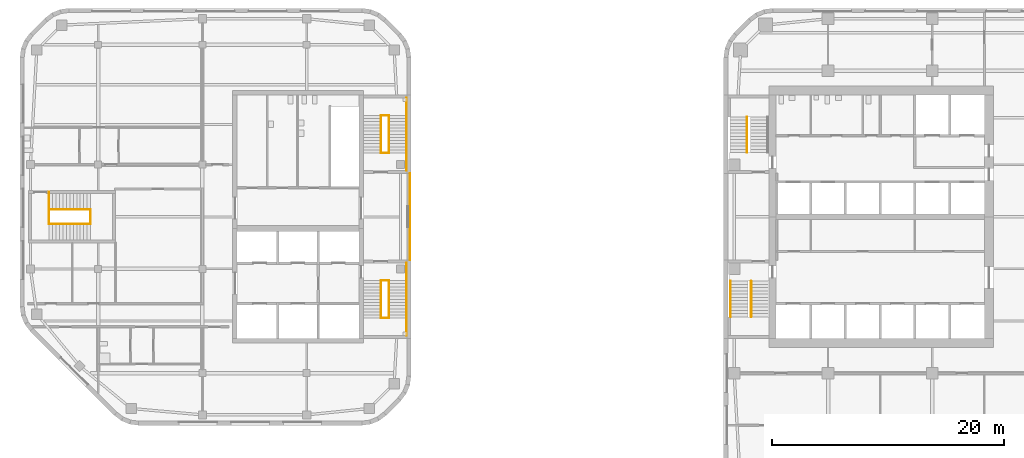
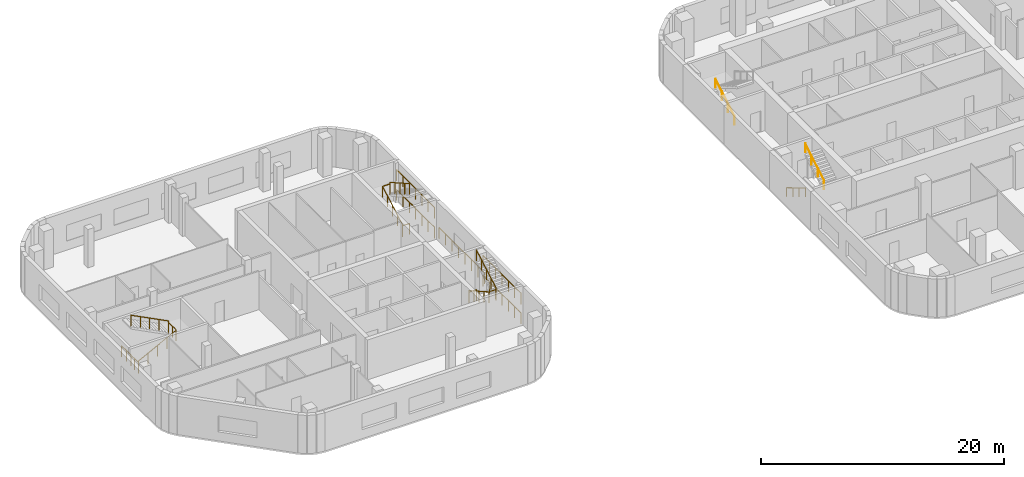
# One storey, part 12 of 14: 21 railings, 2 elements without a shape of their own.
"""IFC4 building model written with IfcOpenShell, lengths in metres."""

from ifc_helpers import new_model, si_unit, direction, frame, origin, origin_2d, place, context, subcontext, project, spatial, circle, extrude, material, type_object, element, aggregate, save


model = new_model("IFC4")

# Units and contexts
model_context = context("Model", 3, precision=1e-05, world=origin(), true_north=direction((0.0, 1.0)))
body_context = subcontext(model_context, "Body", "Model", "MODEL_VIEW")
ifc_project = project(units=[si_unit("LENGTHUNIT", "METRE"), si_unit("AREAUNIT", "SQUARE_METRE"), si_unit("VOLUMEUNIT", "CUBIC_METRE"), si_unit("PLANEANGLEUNIT", "RADIAN"), si_unit("MASSUNIT", "GRAM", prefix="KILO")], contexts=[model_context])

# Site, building, storey
site_placement = place(None, origin())
site = spatial("IfcSite", under=ifc_project, at=site_placement, CompositionType="ELEMENT")
building_placement = place(site_placement, origin())
building = spatial("IfcBuilding", under=site, at=building_placement, Name="Cinnabar Reach Civic Tower", CompositionType="ELEMENT")
storey_placement = place(building_placement, frame((0.0, 0.0, 128.0)))
storey = spatial("IfcBuildingStorey", under=building, at=storey_placement, Name="L30", CompositionType="ELEMENT", Elevation=128.0)

# Stair, railings
ifc_material_1 = material(Name="Concrete C40/50", Category="concrete")
stair_type = type_object("IfcStairType", Name="T1 Exit stair, half-turn", PredefinedType="HALF_TURN_STAIR", material=ifc_material_1)
stair_1_placement = place(storey_placement, origin())
stair_1 = element("IfcStair", 1, at=stair_1_placement, inside=storey, type_object=stair_type, Name="Stair T1-S1", PredefinedType="HALF_TURN_STAIR")
ifc_material_2 = material(Name="Stainless steel tube", Category="steel")
railing_type_1 = type_object("IfcRailingType", Name="T1 Stair handrail, stainless tube 48", PredefinedType="HANDRAIL", material=ifc_material_2)
railing_1_placement = place(storey_placement, frame((0.6, 25.95, 0.1667)))
railing_1 = element("IfcRailing", 2, at=railing_1_placement, type_object=railing_type_1, Name="T1-S1 handrail 1", PredefinedType="HANDRAIL", context=body_context, shape_type="SweptSolid", body=[
    extrude(circle(Radius=0.024, at=origin_2d()), frame((0.0, 0.0, 0.876), z_axis=(0.0, -0.859296971757, 0.511476992962), x_axis=(1.0, 0.0, 0.0)), (0.0, 0.0, 1.0), 3.5843),
    extrude(circle(Radius=0.021, at=origin_2d()), origin(), (0.0, 0.0, 1.0), 0.852),
    extrude(circle(Radius=0.021, at=origin_2d()), frame((0.0, -1.0267, 0.6111)), (0.0, 0.0, 1.0), 0.852),
    extrude(circle(Radius=0.021, at=origin_2d()), frame((0.0, -2.0533, 1.2222)), (0.0, 0.0, 1.0), 0.852),
    extrude(circle(Radius=0.021, at=origin_2d()), frame((0.0, -3.08, 1.8333)), (0.0, 0.0, 1.0), 0.852),
])
railing_2_placement = place(storey_placement, frame((2.375, 22.87, 2.1667)))
railing_2 = element("IfcRailing", 3, at=railing_2_placement, type_object=railing_type_1, Name="T1-S1 handrail 2", PredefinedType="HANDRAIL", context=body_context, shape_type="SweptSolid", body=[
    extrude(circle(Radius=0.024, at=origin_2d()), frame((0.0, 0.0, 0.876), z_axis=(0.0, 0.859296971757, 0.511476992962), x_axis=(-1.0, 0.0, 0.0)), (0.0, 0.0, 1.0), 3.5843),
    extrude(circle(Radius=0.021, at=origin_2d()), origin(), (0.0, 0.0, 1.0), 0.852),
    extrude(circle(Radius=0.021, at=origin_2d()), frame((0.0, 1.0267, 0.6111)), (0.0, 0.0, 1.0), 0.852),
    extrude(circle(Radius=0.021, at=origin_2d()), frame((0.0, 2.0533, 1.2222)), (0.0, 0.0, 1.0), 0.852),
    extrude(circle(Radius=0.021, at=origin_2d()), frame((0.0, 3.08, 1.8333)), (0.0, 0.0, 1.0), 0.852),
])
aggregate(stair_1, [railing_1, railing_2])

# Stair, railing
stair_2_placement = place(storey_placement, origin())
stair_2 = element("IfcStair", 4, at=stair_2_placement, inside=storey, type_object=stair_type, Name="Stair T1-S2", PredefinedType="HALF_TURN_STAIR")
railing_3_placement = place(storey_placement, frame((2.025, 37.05, 0.1667)))
railing_3 = element("IfcRailing", 5, at=railing_3_placement, type_object=railing_type_1, Name="T1-S2 handrail 1", PredefinedType="HANDRAIL", context=body_context, shape_type="SweptSolid", body=[
    extrude(circle(Radius=0.024, at=origin_2d()), frame((0.0, 0.0, 0.876), z_axis=(0.0, 0.859296971757, 0.511476992962), x_axis=(-1.0, 0.0, 0.0)), (0.0, 0.0, 1.0), 3.5843),
    extrude(circle(Radius=0.021, at=origin_2d()), origin(), (0.0, 0.0, 1.0), 0.852),
    extrude(circle(Radius=0.021, at=origin_2d()), frame((0.0, 1.0267, 0.6111)), (0.0, 0.0, 1.0), 0.852),
    extrude(circle(Radius=0.021, at=origin_2d()), frame((0.0, 2.0533, 1.2222)), (0.0, 0.0, 1.0), 0.852),
    extrude(circle(Radius=0.021, at=origin_2d()), frame((0.0, 3.08, 1.8333)), (0.0, 0.0, 1.0), 0.852),
])
aggregate(stair_2, [railing_3])

# Railings
ifc_material_3 = material(Name="Stainless steel", Category="steel")
railing_type_2 = type_object("IfcRailingType", Name="T2 Stair guard 1100", PredefinedType="GUARDRAIL", material=ifc_material_3)
railing_4_placement = place(storey_placement, frame((-27.1, 27.75, 0.0)))
element("IfcRailing", 6, at=railing_4_placement, inside=storey, type_object=railing_type_2, Name="Corridor end guard", PredefinedType="GUARDRAIL", context=body_context, shape_type="SweptSolid", body=[
    extrude(circle(Radius=0.024, at=origin_2d()), frame((0.0, 0.0, 1.076), z_axis=(0.0, 1.0, 0.0), x_axis=(-1.0, 0.0, 0.0)), (0.0, 0.0, 1.0), 7.5),
    extrude(circle(Radius=0.021, at=origin_2d()), origin(), (0.0, 0.0, 1.0), 1.052),
    extrude(circle(Radius=0.021, at=origin_2d()), frame((0.0, 1.0714, 0.0)), (0.0, 0.0, 1.0), 1.052),
    extrude(circle(Radius=0.021, at=origin_2d()), frame((0.0, 2.1429, 0.0)), (0.0, 0.0, 1.0), 1.052),
    extrude(circle(Radius=0.021, at=origin_2d()), frame((0.0, 3.2143, 0.0)), (0.0, 0.0, 1.0), 1.052),
    extrude(circle(Radius=0.021, at=origin_2d()), frame((0.0, 4.2857, 0.0)), (0.0, 0.0, 1.0), 1.052),
    extrude(circle(Radius=0.021, at=origin_2d()), frame((0.0, 5.3571, 0.0)), (0.0, 0.0, 1.0), 1.052),
    extrude(circle(Radius=0.021, at=origin_2d()), frame((0.0, 6.4286, 0.0)), (0.0, 0.0, 1.0), 1.052),
    extrude(circle(Radius=0.021, at=origin_2d()), frame((0.0, 7.5, 0.0)), (0.0, 0.0, 1.0), 1.052),
])
for number, where, name in (
    (7, (-27.4, 21.25, 0.0), "Stair guard 1"),
    (8, (-27.4, 21.25, 2.0), "Stair guard 1"),
):
    element("IfcRailing", number, at=place(storey_placement, frame(where)), inside=storey, type_object=railing_type_2, Name=name, PredefinedType="GUARDRAIL", context=body_context, shape_type="SweptSolid", body=[
        extrude(circle(Radius=0.024, at=origin_2d()), frame((0.0, 0.0, 1.076), z_axis=(0.0, 1.0, 0.0), x_axis=(-1.0, 0.0, 0.0)), (0.0, 0.0, 1.0), 6.25),
        extrude(circle(Radius=0.021, at=origin_2d()), origin(), (0.0, 0.0, 1.0), 1.052),
        extrude(circle(Radius=0.021, at=origin_2d()), frame((0.0, 1.0417, 0.0)), (0.0, 0.0, 1.0), 1.052),
        extrude(circle(Radius=0.021, at=origin_2d()), frame((0.0, 2.0833, 0.0)), (0.0, 0.0, 1.0), 1.052),
        extrude(circle(Radius=0.021, at=origin_2d()), frame((0.0, 3.125, 0.0)), (0.0, 0.0, 1.0), 1.052),
        extrude(circle(Radius=0.021, at=origin_2d()), frame((0.0, 4.1667, 0.0)), (0.0, 0.0, 1.0), 1.052),
        extrude(circle(Radius=0.021, at=origin_2d()), frame((0.0, 5.2083, 0.0)), (0.0, 0.0, 1.0), 1.052),
        extrude(circle(Radius=0.021, at=origin_2d()), frame((0.0, 6.25, 0.0)), (0.0, 0.0, 1.0), 1.052),
    ])
for number, where, name in (
    (9, (-29.6, 26.0, 0.0), "Stair guard 1"),
    (10, (-29.6, 22.75, 2.0), "Stair guard 1"),
):
    element("IfcRailing", number, at=place(storey_placement, frame(where)), inside=storey, type_object=railing_type_2, Name=name, PredefinedType="GUARDRAIL", context=body_context, shape_type="SweptSolid", body=[
        extrude(circle(Radius=0.024, at=origin_2d()), frame((0.0, 0.0, 1.076), z_axis=(1.0, 0.0, 0.0), x_axis=(0.0, 1.0, 0.0)), (0.0, 0.0, 1.0), 0.7),
        extrude(circle(Radius=0.021, at=origin_2d()), origin(), (0.0, 0.0, 1.0), 1.052),
        extrude(circle(Radius=0.021, at=origin_2d()), frame((0.7, 0.0, 0.0)), (0.0, 0.0, 1.0), 1.052),
    ])
railing_5_placement = place(storey_placement, frame((-29.6, 26.0, 0.1538)))
element("IfcRailing", 11, at=railing_5_placement, inside=storey, type_object=railing_type_2, Name="Stair guard 1", PredefinedType="GUARDRAIL", context=body_context, shape_type="SweptSolid", body=[
    extrude(circle(Radius=0.024, at=origin_2d()), frame((0.0, 0.0, 1.076), z_axis=(0.0, -0.869501474428, 0.493930345258), x_axis=(1.0, 0.0, 0.0)), (0.0, 0.0, 1.0), 3.7378),
    extrude(circle(Radius=0.021, at=origin_2d()), origin(), (0.0, 0.0, 1.0), 1.052),
    extrude(circle(Radius=0.021, at=origin_2d()), frame((0.0, -0.8125, 0.4616)), (0.0, 0.0, 1.0), 1.052),
    extrude(circle(Radius=0.021, at=origin_2d()), frame((0.0, -1.625, 0.9231)), (0.0, 0.0, 1.0), 1.052),
    extrude(circle(Radius=0.021, at=origin_2d()), frame((0.0, -2.4375, 1.3847)), (0.0, 0.0, 1.0), 1.052),
    extrude(circle(Radius=0.021, at=origin_2d()), frame((0.0, -3.25, 1.8462)), (0.0, 0.0, 1.0), 1.052),
])
railing_6_placement = place(storey_placement, frame((-28.9, 22.75, 2.1538)))
element("IfcRailing", 12, at=railing_6_placement, inside=storey, type_object=railing_type_2, Name="Stair guard 1", PredefinedType="GUARDRAIL", context=body_context, shape_type="SweptSolid", body=[
    extrude(circle(Radius=0.024, at=origin_2d()), frame((0.0, 0.0, 1.076), z_axis=(0.0, 0.869501474428, 0.493930345258), x_axis=(-1.0, 0.0, 0.0)), (0.0, 0.0, 1.0), 3.7378),
    extrude(circle(Radius=0.021, at=origin_2d()), origin(), (0.0, 0.0, 1.0), 1.052),
    extrude(circle(Radius=0.021, at=origin_2d()), frame((0.0, 0.8125, 0.4616)), (0.0, 0.0, 1.0), 1.052),
    extrude(circle(Radius=0.021, at=origin_2d()), frame((0.0, 1.625, 0.9231)), (0.0, 0.0, 1.0), 1.052),
    extrude(circle(Radius=0.021, at=origin_2d()), frame((0.0, 2.4375, 1.3847)), (0.0, 0.0, 1.0), 1.052),
    extrude(circle(Radius=0.021, at=origin_2d()), frame((0.0, 3.25, 1.8462)), (0.0, 0.0, 1.0), 1.052),
])
for number, where, name in (
    (13, (-27.4, 35.5, 0.0), "Stair guard 2"),
    (14, (-27.4, 35.5, 2.0), "Stair guard 2"),
):
    element("IfcRailing", number, at=place(storey_placement, frame(where)), inside=storey, type_object=railing_type_2, Name=name, PredefinedType="GUARDRAIL", context=body_context, shape_type="SweptSolid", body=[
        extrude(circle(Radius=0.024, at=origin_2d()), frame((0.0, 0.0, 1.076), z_axis=(0.0, 1.0, 0.0), x_axis=(-1.0, 0.0, 0.0)), (0.0, 0.0, 1.0), 6.25),
        extrude(circle(Radius=0.021, at=origin_2d()), origin(), (0.0, 0.0, 1.0), 1.052),
        extrude(circle(Radius=0.021, at=origin_2d()), frame((0.0, 1.0417, 0.0)), (0.0, 0.0, 1.0), 1.052),
        extrude(circle(Radius=0.021, at=origin_2d()), frame((0.0, 2.0833, 0.0)), (0.0, 0.0, 1.0), 1.052),
        extrude(circle(Radius=0.021, at=origin_2d()), frame((0.0, 3.125, 0.0)), (0.0, 0.0, 1.0), 1.052),
        extrude(circle(Radius=0.021, at=origin_2d()), frame((0.0, 4.1667, 0.0)), (0.0, 0.0, 1.0), 1.052),
        extrude(circle(Radius=0.021, at=origin_2d()), frame((0.0, 5.2083, 0.0)), (0.0, 0.0, 1.0), 1.052),
        extrude(circle(Radius=0.021, at=origin_2d()), frame((0.0, 6.25, 0.0)), (0.0, 0.0, 1.0), 1.052),
    ])
for number, where, name in (
    (15, (-29.6, 37.0, 0.0), "Stair guard 2"),
    (16, (-29.6, 40.25, 2.0), "Stair guard 2"),
):
    element("IfcRailing", number, at=place(storey_placement, frame(where)), inside=storey, type_object=railing_type_2, Name=name, PredefinedType="GUARDRAIL", context=body_context, shape_type="SweptSolid", body=[
        extrude(circle(Radius=0.024, at=origin_2d()), frame((0.0, 0.0, 1.076), z_axis=(1.0, 0.0, 0.0), x_axis=(0.0, 1.0, 0.0)), (0.0, 0.0, 1.0), 0.7),
        extrude(circle(Radius=0.021, at=origin_2d()), origin(), (0.0, 0.0, 1.0), 1.052),
        extrude(circle(Radius=0.021, at=origin_2d()), frame((0.7, 0.0, 0.0)), (0.0, 0.0, 1.0), 1.052),
    ])
railing_7_placement = place(storey_placement, frame((-29.6, 37.0, 0.1538)))
element("IfcRailing", 17, at=railing_7_placement, inside=storey, type_object=railing_type_2, Name="Stair guard 2", PredefinedType="GUARDRAIL", context=body_context, shape_type="SweptSolid", body=[
    extrude(circle(Radius=0.024, at=origin_2d()), frame((0.0, 0.0, 1.076), z_axis=(0.0, 0.869501474428, 0.493930345258), x_axis=(-1.0, 0.0, 0.0)), (0.0, 0.0, 1.0), 3.7378),
    extrude(circle(Radius=0.021, at=origin_2d()), origin(), (0.0, 0.0, 1.0), 1.052),
    extrude(circle(Radius=0.021, at=origin_2d()), frame((0.0, 0.8125, 0.4616)), (0.0, 0.0, 1.0), 1.052),
    extrude(circle(Radius=0.021, at=origin_2d()), frame((0.0, 1.625, 0.9231)), (0.0, 0.0, 1.0), 1.052),
    extrude(circle(Radius=0.021, at=origin_2d()), frame((0.0, 2.4375, 1.3847)), (0.0, 0.0, 1.0), 1.052),
    extrude(circle(Radius=0.021, at=origin_2d()), frame((0.0, 3.25, 1.8462)), (0.0, 0.0, 1.0), 1.052),
])
railing_8_placement = place(storey_placement, frame((-28.9, 40.25, 2.1538)))
element("IfcRailing", 18, at=railing_8_placement, inside=storey, type_object=railing_type_2, Name="Stair guard 2", PredefinedType="GUARDRAIL", context=body_context, shape_type="SweptSolid", body=[
    extrude(circle(Radius=0.024, at=origin_2d()), frame((0.0, 0.0, 1.076), z_axis=(0.0, -0.869501474428, 0.493930345258), x_axis=(1.0, 0.0, 0.0)), (0.0, 0.0, 1.0), 3.7378),
    extrude(circle(Radius=0.021, at=origin_2d()), origin(), (0.0, 0.0, 1.0), 1.052),
    extrude(circle(Radius=0.021, at=origin_2d()), frame((0.0, -0.8125, 0.4616)), (0.0, 0.0, 1.0), 1.052),
    extrude(circle(Radius=0.021, at=origin_2d()), frame((0.0, -1.625, 0.9231)), (0.0, 0.0, 1.0), 1.052),
    extrude(circle(Radius=0.021, at=origin_2d()), frame((0.0, -2.4375, 1.3847)), (0.0, 0.0, 1.0), 1.052),
    extrude(circle(Radius=0.021, at=origin_2d()), frame((0.0, -3.25, 1.8462)), (0.0, 0.0, 1.0), 1.052),
])
railing_9_placement = place(storey_placement, frame((-58.25, 30.875, 0.0)))
element("IfcRailing", 19, at=railing_9_placement, inside=storey, type_object=railing_type_2, Name="Stair guard 3", PredefinedType="GUARDRAIL", context=body_context, shape_type="SweptSolid", body=[
    extrude(circle(Radius=0.024, at=origin_2d()), frame((0.0, 0.0, 1.076), z_axis=(0.0, 1.0, 0.0), x_axis=(-1.0, 0.0, 0.0)), (0.0, 0.0, 1.0), 1.25),
    extrude(circle(Radius=0.021, at=origin_2d()), origin(), (0.0, 0.0, 1.0), 1.052),
    extrude(circle(Radius=0.021, at=origin_2d()), frame((0.0, 0.625, 0.0)), (0.0, 0.0, 1.0), 1.052),
    extrude(circle(Radius=0.021, at=origin_2d()), frame((0.0, 1.25, 0.0)), (0.0, 0.0, 1.0), 1.052),
])
railing_10_placement = place(storey_placement, frame((-58.25, 32.125, 0.0)))
element("IfcRailing", 20, at=railing_10_placement, inside=storey, type_object=railing_type_2, Name="Stair guard 3", PredefinedType="GUARDRAIL", context=body_context, shape_type="SweptSolid", body=[
    extrude(circle(Radius=0.024, at=origin_2d()), frame((0.0, 0.0, 1.076), z_axis=(0.0, 1.0, 0.0), x_axis=(-1.0, 0.0, 0.0)), (0.0, 0.0, 1.0), 1.5),
    extrude(circle(Radius=0.021, at=origin_2d()), origin(), (0.0, 0.0, 1.0), 1.052),
    extrude(circle(Radius=0.021, at=origin_2d()), frame((0.0, 0.75, 0.0)), (0.0, 0.0, 1.0), 1.052),
    extrude(circle(Radius=0.021, at=origin_2d()), frame((0.0, 1.5, 0.0)), (0.0, 0.0, 1.0), 1.052),
])
railing_11_placement = place(storey_placement, frame((-54.65, 30.875, 2.0)))
element("IfcRailing", 21, at=railing_11_placement, inside=storey, type_object=railing_type_2, Name="Stair guard 3", PredefinedType="GUARDRAIL", context=body_context, shape_type="SweptSolid", body=[
    extrude(circle(Radius=0.024, at=origin_2d()), frame((0.0, 0.0, 1.076), z_axis=(0.0, 1.0, 0.0), x_axis=(-1.0, 0.0, 0.0)), (0.0, 0.0, 1.0), 1.25),
    extrude(circle(Radius=0.021, at=origin_2d()), origin(), (0.0, 0.0, 1.0), 1.052),
    extrude(circle(Radius=0.021, at=origin_2d()), frame((0.0, 0.625, 0.0)), (0.0, 0.0, 1.0), 1.052),
    extrude(circle(Radius=0.021, at=origin_2d()), frame((0.0, 1.25, 0.0)), (0.0, 0.0, 1.0), 1.052),
])
railing_12_placement = place(storey_placement, frame((-58.25, 30.875, 0.1538)))
element("IfcRailing", 22, at=railing_12_placement, inside=storey, type_object=railing_type_2, Name="Stair guard 3", PredefinedType="GUARDRAIL", context=body_context, shape_type="SweptSolid", body=[
    extrude(circle(Radius=0.024, at=origin_2d()), frame((0.0, 0.0, 1.076), z_axis=(0.889812830738, 0.0, 0.45632568003), x_axis=(0.0, 1.0, 0.0)), (0.0, 0.0, 1.0), 4.0458),
    extrude(circle(Radius=0.021, at=origin_2d()), origin(), (0.0, 0.0, 1.0), 1.052),
    extrude(circle(Radius=0.021, at=origin_2d()), frame((0.9, 0.0, 0.4616)), (0.0, 0.0, 1.0), 1.052),
    extrude(circle(Radius=0.021, at=origin_2d()), frame((1.8, 0.0, 0.9231)), (0.0, 0.0, 1.0), 1.052),
    extrude(circle(Radius=0.021, at=origin_2d()), frame((2.7, 0.0, 1.3847)), (0.0, 0.0, 1.0), 1.052),
    extrude(circle(Radius=0.021, at=origin_2d()), frame((3.6, 0.0, 1.8462)), (0.0, 0.0, 1.0), 1.052),
])
railing_13_placement = place(storey_placement, frame((-54.65, 32.125, 2.1538)))
element("IfcRailing", 23, at=railing_13_placement, inside=storey, type_object=railing_type_2, Name="Stair guard 3", PredefinedType="GUARDRAIL", context=body_context, shape_type="SweptSolid", body=[
    extrude(circle(Radius=0.024, at=origin_2d()), frame((0.0, 0.0, 1.076), z_axis=(-0.889812830738, 0.0, 0.45632568003), x_axis=(0.0, -1.0, 0.0)), (0.0, 0.0, 1.0), 4.0458),
    extrude(circle(Radius=0.021, at=origin_2d()), origin(), (0.0, 0.0, 1.0), 1.052),
    extrude(circle(Radius=0.021, at=origin_2d()), frame((-0.9, 0.0, 0.4616)), (0.0, 0.0, 1.0), 1.052),
    extrude(circle(Radius=0.021, at=origin_2d()), frame((-1.8, 0.0, 0.9231)), (0.0, 0.0, 1.0), 1.052),
    extrude(circle(Radius=0.021, at=origin_2d()), frame((-2.7, 0.0, 1.3847)), (0.0, 0.0, 1.0), 1.052),
    extrude(circle(Radius=0.021, at=origin_2d()), frame((-3.6, 0.0, 1.8462)), (0.0, 0.0, 1.0), 1.052),
])

save(model, "model.ifc")
